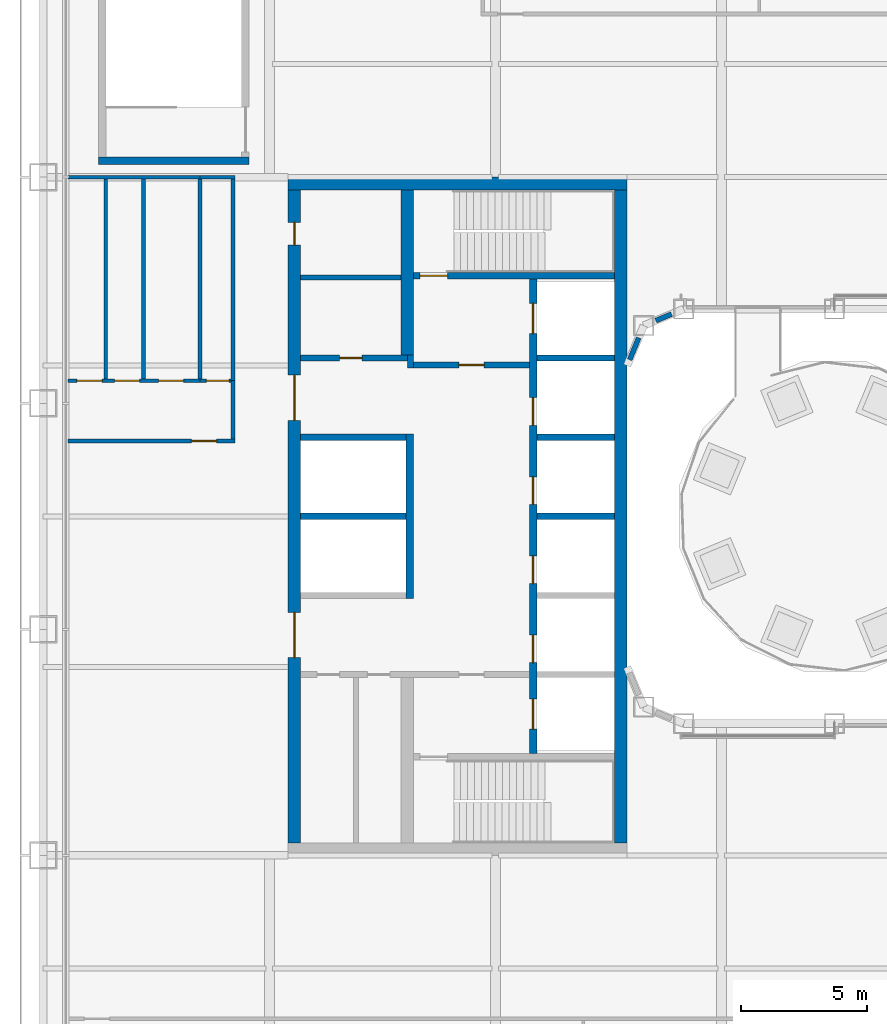
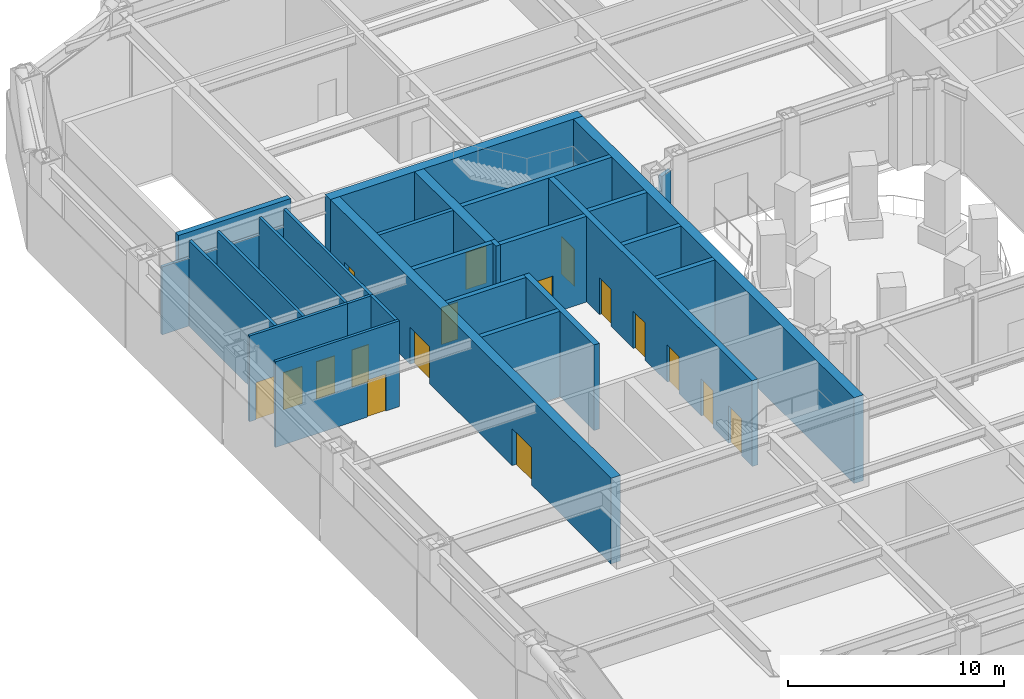
# One storey, part 13 of 25: 29 walls, 17 doors, 17 openings.
"""IFC4 building model written with IfcOpenShell, lengths in metres."""

from ifc_helpers import new_model, si_unit, direction, frame, frame_2d, origin, place, context, subcontext, project, spatial, rectangle, extrude, material, layer, layer_set, type_object, element, fill, save


model = new_model("IFC4")

# Units and contexts
model_context = context("Model", 3, precision=1e-05, world=origin(), true_north=direction((0.0, 1.0)))
body_context = subcontext(model_context, "Body", "Model", "MODEL_VIEW")
ifc_project = project(units=[si_unit("LENGTHUNIT", "METRE"), si_unit("AREAUNIT", "SQUARE_METRE"), si_unit("VOLUMEUNIT", "CUBIC_METRE"), si_unit("PLANEANGLEUNIT", "RADIAN"), si_unit("MASSUNIT", "GRAM", prefix="KILO")], contexts=[model_context])

# Site, building, storey
site_placement = place(None, origin())
site = spatial("IfcSite", under=ifc_project, at=site_placement, CompositionType="ELEMENT")
building_placement = place(site_placement, origin())
building = spatial("IfcBuilding", under=site, at=building_placement, Name="Siwar Civic Tower", CompositionType="ELEMENT")
storey_placement = place(building_placement, frame((0.0, 0.0, 17.199951171875)))
storey = spatial("IfcBuildingStorey", under=building, at=storey_placement, Name="L03", CompositionType="ELEMENT", Elevation=17.199951171875)

# Wall, opening, door
ifc_material_1 = material(Name="Gypsum board on steel studs", Category="steel")
ifc_layer_1 = layer(ifc_material_1, 0.14990234375)
ifc_layer_set_1 = layer_set([ifc_layer_1], Name="Gypsum board on steel studs")
wall_type_1 = type_object("IfcWallType", Name="COMPARTMENT PARTITION 150 EI 60", PredefinedType="PARTITIONING", material=ifc_layer_set_1)
wall_1_placement = place(storey_placement, frame((-25.260009765625, 5.39990234375, 0.0), z_axis=(0.0, 0.0, 1.0), x_axis=(1.0, 0.0, 0.0)))
wall_1 = element("IfcWall", 1, at=wall_1_placement, inside=storey, type_object=wall_type_1, Name="L03/wall/P07", PredefinedType="PARTITIONING", context=body_context, shape_type="SweptSolid", body=[
    extrude(rectangle(XDim=1.235107421875, YDim=0.14990234375, at=frame_2d((0.61767578125, 0.0))), origin(), (0.0, 0.0, 1.0), 4.85009765625),
])
opening_1_placement = place(wall_1_placement, frame((0.260009765625, 0.0, 0.0)))
opening_1 = element("IfcOpeningElement", 2, at=opening_1_placement, cuts=wall_1, Name="Opening D4", PredefinedType="OPENING", context=body_context, shape_type="SweptSolid", body=[
    extrude(rectangle(XDim=0.89990234375, YDim=2.10009765625, at=frame_2d((0.449951171875, 1.050048828125))), frame((0.0, 0.0849609375, 0.0), z_axis=(0.0, -1.0, 0.0), x_axis=(1.0, 0.0, 0.0)), (0.0, 0.0, 1.0), 0.169921875),
])
ifc_material_2 = material(Name="Timber, painted", Category="wood")
door_type_1 = type_object("IfcDoorType", Name="DOOR 900 X 2100 FD60", OperationType="SINGLE_SWING_LEFT", PredefinedType="DOOR", material=ifc_material_2)
door_1_placement = place(opening_1_placement, origin())
door_1 = element("IfcDoor", 3, at=door_1_placement, inside=storey, type_object=door_type_1, Name="L03-D13", OperationType="SINGLE_SWING_LEFT", OverallHeight=2.10009765625, OverallWidth=0.89990234375, PredefinedType="DOOR", context=body_context, shape_type="SweptSolid", body=[
    extrude(rectangle(XDim=0.89990234375, YDim=2.10009765625, at=frame_2d((0.449951171875, 1.050048828125))), frame((0.0, 0.02490234375, 0.0), z_axis=(0.0, -1.0, 0.0), x_axis=(1.0, 0.0, 0.0)), (0.0, 0.0, 1.0), 0.050048828125),
])
fill(opening_1, door_1)

# Walls
wall_2_placement = place(storey_placement, frame((-25.260009765625, 13.5, 0.0), z_axis=(0.0, 0.0, 1.0), x_axis=(1.0, 0.0, 0.0)))
element("IfcWall", 4, at=wall_2_placement, inside=storey, type_object=wall_type_1, Name="L03/wall/P09", PredefinedType="PARTITIONING", context=body_context, shape_type="SweptSolid", body=[
    extrude(rectangle(XDim=1.385009765625, YDim=0.14990234375, at=frame_2d((0.6923828125, 0.0))), origin(), (0.0, 0.0, 1.0), 3.85009765625),
])
wall_3_placement = place(storey_placement, frame((-25.260009765625, 5.47509765625, 0.0), z_axis=(0.0, 0.0, 1.0), x_axis=(0.0, 1.0, 0.0)))
element("IfcWall", 5, at=wall_3_placement, inside=storey, type_object=wall_type_1, Name="L03/wall/P14", PredefinedType="PARTITIONING", context=body_context, shape_type="SweptSolid", body=[
    extrude(rectangle(XDim=7.949951171875, YDim=0.14990234375, at=frame_2d((3.97509765625, 0.0))), origin(), (0.0, 0.0, 1.0), 4.85009765625),
])
wall_4_placement = place(storey_placement, frame((-23.949951171875, 5.39990234375, 0.0), z_axis=(0.0, 0.0, 1.0), x_axis=(0.0, 1.0, 0.0)))
element("IfcWall", 6, at=wall_4_placement, inside=storey, type_object=wall_type_1, Name="L03/wall/P16", PredefinedType="PARTITIONING", context=body_context, shape_type="SweptSolid", body=[
    extrude(rectangle(XDim=8.025146484375, YDim=0.14990234375, at=frame_2d((4.0126953125, 0.0))), origin(), (0.0, 0.0, 1.0), 4.85009765625),
])
ifc_material_3 = material(Name="Gypsum board on steel studs", Category="steel")
ifc_layer_2 = layer(ifc_material_3, 0.199951171875)
ifc_layer_set_2 = layer_set([ifc_layer_2], Name="Gypsum board on steel studs")
wall_type_2 = type_object("IfcWallType", Name="CORE-PARTITION-200", PredefinedType="PARTITIONING", material=ifc_layer_set_2)
wall_5_placement = place(storey_placement, frame((-17.25, 9.5, 0.0), z_axis=(0.0, 0.0, 1.0), x_axis=(-1.0, 0.0, 0.0)))
element("IfcWall", 7, at=wall_5_placement, inside=storey, type_object=wall_type_2, Name="Core partition W", PredefinedType="PARTITIONING", context=body_context, shape_type="SweptSolid", body=[
    extrude(rectangle(XDim=4.0, YDim=0.199951171875, at=frame_2d((2.0, 0.0))), origin(), (0.0, 0.0, 1.0), 4.85009765625),
])

# Wall, opening, door
ifc_material_4 = material(Name="Concrete C60/75", Category="concrete")
ifc_layer_3 = layer(ifc_material_4, 0.25)
ifc_layer_set_3 = layer_set([ifc_layer_3], Name="Concrete C60/75")
wall_type_3 = type_object("IfcWallType", Name="CORE-WALL-RC250", PredefinedType="SHEAR", material=ifc_layer_set_3)
wall_6_placement = place(storey_placement, frame((-12.14990234375, 6.02490234375, 0.0), z_axis=(0.0, 0.0, 1.0), x_axis=(-1.0, 0.0, 0.0)))
wall_6 = element("IfcWall", 8, at=wall_6_placement, inside=storey, type_object=wall_type_3, Name="Core wall W", PredefinedType="SHEAR", context=body_context, shape_type="SweptSolid", body=[
    extrude(rectangle(XDim=4.60009765625, YDim=0.25, at=frame_2d((2.300048828125, 0.0))), origin(), (0.0, 0.0, 1.0), 4.85009765625),
])
opening_2_placement = place(wall_6_placement, frame((1.800048828125, 0.0, 0.0)))
opening_2 = element("IfcOpeningElement", 9, at=opening_2_placement, cuts=wall_6, Name="Opening L03-CW01", PredefinedType="OPENING", context=body_context, shape_type="SweptSolid", body=[
    extrude(rectangle(XDim=1.0, YDim=2.10009765625, at=frame_2d((0.5, 1.050048828125))), frame((0.0, 0.135009765625, 0.0), z_axis=(0.0, -1.0, 0.0), x_axis=(1.0, 0.0, 0.0)), (0.0, 0.0, 1.0), 0.27001953125),
])
ifc_material_5 = material(Name="Steel door leaf", Category="steel")
door_type_2 = type_object("IfcDoorType", Name="CORE-DOOR-FD30S", OperationType="SINGLE_SWING_LEFT", PredefinedType="DOOR", material=ifc_material_5)
door_2_placement = place(opening_2_placement, origin())
door_2 = element("IfcDoor", 10, at=door_2_placement, inside=storey, type_object=door_type_2, Name="Firefighting lobby door L03-CW01", OperationType="SINGLE_SWING_LEFT", OverallHeight=2.10009765625, OverallWidth=1.0, PredefinedType="DOOR", context=body_context, shape_type="SweptSolid", body=[
    extrude(rectangle(XDim=1.0, YDim=2.10009765625, at=frame_2d((0.5, 1.050048828125))), frame((0.0, 0.02490234375, 0.0), z_axis=(0.0, -1.0, 0.0), x_axis=(1.0, 0.0, 0.0)), (0.0, 0.0, 1.0), 0.050048828125),
])
fill(opening_2, door_2)

# Wall
wall_7_placement = place(storey_placement, frame((-16.875, 5.89990234375, 0.0), z_axis=(0.0, 0.0, 1.0), x_axis=(0.0, 1.0, 0.0)))
element("IfcWall", 11, at=wall_7_placement, inside=storey, type_object=wall_type_3, Name="Core wall W", PredefinedType="SHEAR", context=body_context, shape_type="SweptSolid", body=[
    extrude(rectangle(XDim=0.525146484375, YDim=0.25, at=frame_2d((0.2626953125, 0.0))), origin(), (0.0, 0.0, 1.0), 4.85009765625),
])

# Wall, opening, door
wall_8_placement = place(storey_placement, frame((-17.0, 6.300048828125, 0.0), z_axis=(0.0, 0.0, 1.0), x_axis=(-1.0, 0.0, 0.0)))
wall_8 = element("IfcWall", 12, at=wall_8_placement, inside=storey, type_object=wall_type_3, Name="Core wall W", PredefinedType="SHEAR", context=body_context, shape_type="SweptSolid", body=[
    extrude(rectangle(XDim=4.25, YDim=0.25, at=frame_2d((2.125, 0.0))), origin(), (0.0, 0.0, 1.0), 4.85009765625),
])
opening_3_placement = place(wall_8_placement, frame((1.800048828125, 0.0, 0.0)))
opening_3 = element("IfcOpeningElement", 13, at=opening_3_placement, cuts=wall_8, Name="Opening L03-CW13", PredefinedType="OPENING", context=body_context, shape_type="SweptSolid", body=[
    extrude(rectangle(XDim=0.89990234375, YDim=2.10009765625, at=frame_2d((0.449951171875, 1.050048828125))), frame((0.0, 0.135009765625, 0.0), z_axis=(0.0, -1.0, 0.0), x_axis=(1.0, 0.0, 0.0)), (0.0, 0.0, 1.0), 0.27001953125),
])
ifc_material_6 = material(Name="Steel door leaf", Category="steel")
door_type_3 = type_object("IfcDoorType", Name="CORE-DOOR-ROOM", OperationType="SINGLE_SWING_LEFT", PredefinedType="DOOR", material=ifc_material_6)
door_3_placement = place(opening_3_placement, origin())
door_3 = element("IfcDoor", 14, at=door_3_placement, inside=storey, type_object=door_type_3, Name="Core room door L03-CW13", OperationType="SINGLE_SWING_LEFT", OverallHeight=2.10009765625, OverallWidth=0.89990234375, PredefinedType="DOOR", context=body_context, shape_type="SweptSolid", body=[
    extrude(rectangle(XDim=0.89990234375, YDim=2.10009765625, at=frame_2d((0.449951171875, 1.050048828125))), frame((0.0, 0.02490234375, 0.0), z_axis=(0.0, -1.0, 0.0), x_axis=(1.0, 0.0, 0.0)), (0.0, 0.0, 1.0), 0.050048828125),
])
fill(opening_3, door_3)

# Walls
for number, where, z_axis, x_axis, name in (
    (15, (-17.050048828125, 0.0, 0.0), (0.0, 0.0, 1.0), (-1.0, 0.0, 0.0), "Core wall W"),
    (16, (-17.050048828125, 3.14990234375, 0.0), (0.0, 0.0, 1.0), (-1.0, 0.0, 0.0), "Core wall W"),
):
    element("IfcWall", number, at=place(storey_placement, frame(where, z_axis=z_axis, x_axis=x_axis)), inside=storey, type_object=wall_type_3, Name=name, PredefinedType="SHEAR", context=body_context, shape_type="SweptSolid", body=[
        extrude(rectangle(XDim=4.199951171875, YDim=0.25, at=frame_2d((2.10009765625, 0.0))), origin(), (0.0, 0.0, 1.0), 4.85009765625),
    ])
for number, where, z_axis, x_axis, name in (
    (17, (-8.75, 0.0, 0.0), (0.0, 0.0, 1.0), (-1.0, 0.0, 0.0), "Core wall W"),
    (18, (-8.75, 3.14990234375, 0.0), (0.0, 0.0, 1.0), (-1.0, 0.0, 0.0), "Core wall W"),
    (19, (-8.75, 6.300048828125, 0.0), (0.0, 0.0, 1.0), (-1.0, 0.0, 0.0), "Core wall W"),
):
    element("IfcWall", number, at=place(storey_placement, frame(where, z_axis=z_axis, x_axis=x_axis)), inside=storey, type_object=wall_type_3, Name=name, PredefinedType="SHEAR", context=body_context, shape_type="SweptSolid", body=[
        extrude(rectangle(XDim=3.10009765625, YDim=0.25, at=frame_2d((1.550048828125, 0.0))), origin(), (0.0, 0.0, 1.0), 4.85009765625),
    ])

# Wall, opening, door
wall_9_placement = place(storey_placement, frame((-8.75, 9.574951171875, 0.0), z_axis=(0.0, 0.0, 1.0), x_axis=(-1.0, 0.0, 0.0)))
wall_9 = element("IfcWall", 20, at=wall_9_placement, inside=storey, type_object=wall_type_3, Name="Core wall W", PredefinedType="SHEAR", context=body_context, shape_type="SweptSolid", body=[
    extrude(rectangle(XDim=8.0, YDim=0.25, at=frame_2d((4.0, 0.0))), origin(), (0.0, 0.0, 1.0), 4.85009765625),
])
opening_4_placement = place(wall_9_placement, frame((6.64990234375, 0.0, 0.0)))
opening_4 = element("IfcOpeningElement", 21, at=opening_4_placement, cuts=wall_9, Name="Opening L03-CW03", PredefinedType="OPENING", context=body_context, shape_type="SweptSolid", body=[
    extrude(rectangle(XDim=1.10009765625, YDim=2.10009765625, at=frame_2d((0.550048828125, 1.050048828125))), frame((0.0, 0.135009765625, 0.0), z_axis=(0.0, -1.0, 0.0), x_axis=(1.0, 0.0, 0.0)), (0.0, 0.0, 1.0), 0.27001953125),
])
ifc_material_7 = material(Name="Steel door leaf", Category="steel")
door_type_4 = type_object("IfcDoorType", Name="CORE-DOOR-FD60S", OperationType="SINGLE_SWING_LEFT", PredefinedType="DOOR", material=ifc_material_7)
door_4_placement = place(opening_4_placement, origin())
door_4 = element("IfcDoor", 22, at=door_4_placement, inside=storey, type_object=door_type_4, Name="Stair door L03-CW03", OperationType="SINGLE_SWING_RIGHT", OverallHeight=2.10009765625, OverallWidth=1.10009765625, PredefinedType="DOOR", context=body_context, shape_type="SweptSolid", body=[
    extrude(rectangle(XDim=1.10009765625, YDim=2.10009765625, at=frame_2d((0.550048828125, 1.050048828125))), frame((0.0, 0.02490234375, 0.0), z_axis=(0.0, -1.0, 0.0), x_axis=(1.0, 0.0, 0.0)), (0.0, 0.0, 1.0), 0.050048828125),
])
fill(opening_4, door_4)

# Wall, openings, doors
ifc_material_8 = material(Name="Concrete C60/75", Category="concrete")
ifc_layer_4 = layer(ifc_material_8, 0.300048828125)
ifc_layer_set_4 = layer_set([ifc_layer_4], Name="Concrete C60/75")
wall_type_4 = type_object("IfcWallType", Name="CORE-WALL-RC300", PredefinedType="SHEAR", material=ifc_layer_set_4)
wall_10_placement = place(storey_placement, frame((-12.0, -9.449951171875, 0.0), z_axis=(0.0, 0.0, 1.0), x_axis=(0.0, 1.0, 0.0)))
wall_10 = element("IfcWall", 23, at=wall_10_placement, inside=storey, type_object=wall_type_4, Name="Core wall W", PredefinedType="SHEAR", context=body_context, shape_type="SweptSolid", body=[
    extrude(rectangle(XDim=18.89990234375, YDim=0.300048828125, at=frame_2d((9.449951171875, 0.0))), origin(), (0.0, 0.0, 1.0), 4.85009765625),
])
opening_5_placement = place(wall_10_placement, frame((3.625, 0.0, 0.0)))
opening_5 = element("IfcOpeningElement", 24, at=opening_5_placement, cuts=wall_10, Name="Opening L03-CW07", PredefinedType="OPENING", context=body_context, shape_type="SweptSolid", body=[
    extrude(rectangle(XDim=1.10009765625, YDim=2.10009765625, at=frame_2d((0.550048828125, 1.050048828125))), frame((0.0, 0.16015625, 0.0), z_axis=(0.0, -1.0, 0.0), x_axis=(1.0, 0.0, 0.0)), (0.0, 0.0, 1.0), 0.320068359375),
])
opening_6_placement = place(wall_10_placement, frame((6.77490234375, 0.0, 0.0)))
opening_6 = element("IfcOpeningElement", 25, at=opening_6_placement, cuts=wall_10, Name="Opening L03-CW08", PredefinedType="OPENING", context=body_context, shape_type="SweptSolid", body=[
    extrude(rectangle(XDim=1.10009765625, YDim=2.10009765625, at=frame_2d((0.550048828125, 1.050048828125))), frame((0.0, 0.16015625, 0.0), z_axis=(0.0, -1.0, 0.0), x_axis=(1.0, 0.0, 0.0)), (0.0, 0.0, 1.0), 0.320068359375),
])
opening_7_placement = place(wall_10_placement, frame((9.925048828125, 0.0, 0.0)))
opening_7 = element("IfcOpeningElement", 26, at=opening_7_placement, cuts=wall_10, Name="Opening L03-CW09", PredefinedType="OPENING", context=body_context, shape_type="SweptSolid", body=[
    extrude(rectangle(XDim=1.10009765625, YDim=2.10009765625, at=frame_2d((0.550048828125, 1.050048828125))), frame((0.0, 0.16015625, 0.0), z_axis=(0.0, -1.0, 0.0), x_axis=(1.0, 0.0, 0.0)), (0.0, 0.0, 1.0), 0.320068359375),
])
opening_8_placement = place(wall_10_placement, frame((13.074951171875, 0.0, 0.0)))
opening_8 = element("IfcOpeningElement", 27, at=opening_8_placement, cuts=wall_10, Name="Opening L03-CW10", PredefinedType="OPENING", context=body_context, shape_type="SweptSolid", body=[
    extrude(rectangle(XDim=1.10009765625, YDim=2.10009765625, at=frame_2d((0.550048828125, 1.050048828125))), frame((0.0, 0.16015625, 0.0), z_axis=(0.0, -1.0, 0.0), x_axis=(1.0, 0.0, 0.0)), (0.0, 0.0, 1.0), 0.320068359375),
])
opening_9_placement = place(wall_10_placement, frame((16.72509765625, 0.0, 0.0)))
opening_9 = element("IfcOpeningElement", 28, at=opening_9_placement, cuts=wall_10, Name="Opening L03-CW11", PredefinedType="OPENING", context=body_context, shape_type="SweptSolid", body=[
    extrude(rectangle(XDim=1.199951171875, YDim=2.10009765625, at=frame_2d((0.60009765625, 1.050048828125))), frame((0.0, 0.16015625, 0.0), z_axis=(0.0, -1.0, 0.0), x_axis=(1.0, 0.0, 0.0)), (0.0, 0.0, 1.0), 0.320068359375),
])
opening_10_placement = place(wall_10_placement, frame((0.97509765625, 0.0, 0.0)))
opening_10 = element("IfcOpeningElement", 29, at=opening_10_placement, cuts=wall_10, Name="Opening L03-CW12", PredefinedType="OPENING", context=body_context, shape_type="SweptSolid", body=[
    extrude(rectangle(XDim=1.199951171875, YDim=2.10009765625, at=frame_2d((0.60009765625, 1.050048828125))), frame((0.0, 0.16015625, 0.0), z_axis=(0.0, -1.0, 0.0), x_axis=(1.0, 0.0, 0.0)), (0.0, 0.0, 1.0), 0.320068359375),
])
ifc_material_9 = material(Name="Steel door leaf", Category="steel")
door_type_5 = type_object("IfcDoorType", Name="CORE-DOOR-LD", OperationType="DOUBLE_DOOR_SLIDING", PredefinedType="DOOR", material=ifc_material_9)
door_5_placement = place(opening_5_placement, origin())
door_5 = element("IfcDoor", 30, at=door_5_placement, inside=storey, type_object=door_type_5, Name="Landing door LR1 L03-CW07", OperationType="DOUBLE_DOOR_SLIDING", OverallHeight=2.10009765625, OverallWidth=1.10009765625, PredefinedType="DOOR", context=body_context, shape_type="SweptSolid", body=[
    extrude(rectangle(XDim=1.10009765625, YDim=2.10009765625, at=frame_2d((0.550048828125, 1.050048828125))), frame((0.0, 0.02490234375, 0.0), z_axis=(0.0, -1.0, 0.0), x_axis=(1.0, 0.0, 0.0)), (0.0, 0.0, 1.0), 0.050048828125),
])
fill(opening_5, door_5)
door_6_placement = place(opening_6_placement, origin())
door_6 = element("IfcDoor", 31, at=door_6_placement, inside=storey, type_object=door_type_5, Name="Landing door LR2 L03-CW08", OperationType="DOUBLE_DOOR_SLIDING", OverallHeight=2.10009765625, OverallWidth=1.10009765625, PredefinedType="DOOR", context=body_context, shape_type="SweptSolid", body=[
    extrude(rectangle(XDim=1.10009765625, YDim=2.10009765625, at=frame_2d((0.550048828125, 1.050048828125))), frame((0.0, 0.02490234375, 0.0), z_axis=(0.0, -1.0, 0.0), x_axis=(1.0, 0.0, 0.0)), (0.0, 0.0, 1.0), 0.050048828125),
])
fill(opening_6, door_6)
door_7_placement = place(opening_7_placement, origin())
door_7 = element("IfcDoor", 32, at=door_7_placement, inside=storey, type_object=door_type_5, Name="Landing door LR3 L03-CW09", OperationType="DOUBLE_DOOR_SLIDING", OverallHeight=2.10009765625, OverallWidth=1.10009765625, PredefinedType="DOOR", context=body_context, shape_type="SweptSolid", body=[
    extrude(rectangle(XDim=1.10009765625, YDim=2.10009765625, at=frame_2d((0.550048828125, 1.050048828125))), frame((0.0, 0.02490234375, 0.0), z_axis=(0.0, -1.0, 0.0), x_axis=(1.0, 0.0, 0.0)), (0.0, 0.0, 1.0), 0.050048828125),
])
fill(opening_7, door_7)
door_8_placement = place(opening_8_placement, origin())
door_8 = element("IfcDoor", 33, at=door_8_placement, inside=storey, type_object=door_type_5, Name="Landing door LR4 L03-CW10", OperationType="DOUBLE_DOOR_SLIDING", OverallHeight=2.10009765625, OverallWidth=1.10009765625, PredefinedType="DOOR", context=body_context, shape_type="SweptSolid", body=[
    extrude(rectangle(XDim=1.10009765625, YDim=2.10009765625, at=frame_2d((0.550048828125, 1.050048828125))), frame((0.0, 0.02490234375, 0.0), z_axis=(0.0, -1.0, 0.0), x_axis=(1.0, 0.0, 0.0)), (0.0, 0.0, 1.0), 0.050048828125),
])
fill(opening_8, door_8)
ifc_material_10 = material(Name="Steel door leaf", Category="steel")
door_type_6 = type_object("IfcDoorType", Name="CORE-DOOR-LDW", OperationType="DOUBLE_DOOR_SLIDING", PredefinedType="DOOR", material=ifc_material_10)
door_9_placement = place(opening_9_placement, origin())
door_9 = element("IfcDoor", 34, at=door_9_placement, inside=storey, type_object=door_type_6, Name="Landing door FF1 L03-CW11", OperationType="DOUBLE_DOOR_SLIDING", OverallHeight=2.10009765625, OverallWidth=1.199951171875, PredefinedType="DOOR", context=body_context, shape_type="SweptSolid", body=[
    extrude(rectangle(XDim=1.199951171875, YDim=2.10009765625, at=frame_2d((0.60009765625, 1.050048828125))), frame((0.0, 0.02490234375, 0.0), z_axis=(0.0, -1.0, 0.0), x_axis=(1.0, 0.0, 0.0)), (0.0, 0.0, 1.0), 0.050048828125),
])
fill(opening_9, door_9)
door_10_placement = place(opening_10_placement, origin())
door_10 = element("IfcDoor", 35, at=door_10_placement, inside=storey, type_object=door_type_6, Name="Landing door SV1 L03-CW12", OperationType="DOUBLE_DOOR_SLIDING", OverallHeight=2.10009765625, OverallWidth=1.199951171875, PredefinedType="DOOR", context=body_context, shape_type="SweptSolid", body=[
    extrude(rectangle(XDim=1.199951171875, YDim=2.10009765625, at=frame_2d((0.60009765625, 1.050048828125))), frame((0.0, 0.02490234375, 0.0), z_axis=(0.0, -1.0, 0.0), x_axis=(1.0, 0.0, 0.0)), (0.0, 0.0, 1.0), 0.050048828125),
])
fill(opening_10, door_10)

# Wall
wall_11_placement = place(storey_placement, frame((-16.89990234375, -3.27490234375, 0.0), z_axis=(0.0, 0.0, 1.0), x_axis=(0.0, 1.0, 0.0)))
element("IfcWall", 36, at=wall_11_placement, inside=storey, type_object=wall_type_4, Name="Core wall W", PredefinedType="SHEAR", context=body_context, shape_type="SweptSolid", body=[
    extrude(rectangle(XDim=6.5498046875, YDim=0.300048828125, at=frame_2d((3.27490234375, 0.0))), origin(), (0.0, 0.0, 1.0), 4.85009765625),
])

# Wall, openings, doors
ifc_material_11 = material(Name="Concrete C60/75", Category="concrete")
ifc_layer_5 = layer(ifc_material_11, 0.5)
ifc_layer_set_5 = layer_set([ifc_layer_5], Name="Concrete C60/75")
wall_type_5 = type_object("IfcWallType", Name="CORE-WALL-RC500", PredefinedType="SHEAR", material=ifc_layer_set_5)
wall_12_placement = place(storey_placement, frame((-21.5, -13.0, 0.0), z_axis=(0.0, 0.0, 1.0), x_axis=(0.0, 1.0, 0.0)))
wall_12 = element("IfcWall", 37, at=wall_12_placement, inside=storey, type_object=wall_type_5, Name="Core wall W", PredefinedType="SHEAR", context=body_context, shape_type="SweptSolid", body=[
    extrude(rectangle(XDim=26.0, YDim=0.5, at=frame_2d((13.0, 0.0))), origin(), (0.0, 0.0, 1.0), 4.85009765625),
])
opening_11_placement = place(wall_12_placement, frame((16.824951171875, 0.0, 0.0)))
opening_11 = element("IfcOpeningElement", 38, at=opening_11_placement, cuts=wall_12, Name="Opening L03-CW05", PredefinedType="OPENING", context=body_context, shape_type="SweptSolid", body=[
    extrude(rectangle(XDim=1.800048828125, YDim=2.10009765625, at=frame_2d((0.89990234375, 1.050048828125))), frame((0.0, 0.260009765625, 0.0), z_axis=(0.0, -1.0, 0.0), x_axis=(1.0, 0.0, 0.0)), (0.0, 0.0, 1.0), 0.52001953125),
])
opening_12_placement = place(wall_12_placement, frame((7.375, 0.0, 0.0)))
opening_12 = element("IfcOpeningElement", 39, at=opening_12_placement, cuts=wall_12, Name="Opening L03-CW06", PredefinedType="OPENING", context=body_context, shape_type="SweptSolid", body=[
    extrude(rectangle(XDim=1.800048828125, YDim=2.10009765625, at=frame_2d((0.89990234375, 1.050048828125))), frame((0.0, 0.260009765625, 0.0), z_axis=(0.0, -1.0, 0.0), x_axis=(1.0, 0.0, 0.0)), (0.0, 0.0, 1.0), 0.52001953125),
])
opening_13_placement = place(wall_12_placement, frame((23.800048828125, 0.0, 0.0)))
opening_13 = element("IfcOpeningElement", 40, at=opening_13_placement, cuts=wall_12, Name="Opening L03-CW14", PredefinedType="OPENING", context=body_context, shape_type="SweptSolid", body=[
    extrude(rectangle(XDim=0.89990234375, YDim=2.10009765625, at=frame_2d((0.449951171875, 1.050048828125))), frame((0.0, 0.260009765625, 0.0), z_axis=(0.0, -1.0, 0.0), x_axis=(1.0, 0.0, 0.0)), (0.0, 0.0, 1.0), 0.52001953125),
])
ifc_material_12 = material(Name="Steel door leaf", Category="steel")
door_type_7 = type_object("IfcDoorType", Name="CORE-DOOR-PORT", OperationType="DOUBLE_DOOR_DOUBLE_SWING", PredefinedType="DOOR", material=ifc_material_12)
door_11_placement = place(opening_11_placement, origin())
door_11 = element("IfcDoor", 41, at=door_11_placement, inside=storey, type_object=door_type_7, Name="Core entrance door L03-CW05", OperationType="DOUBLE_DOOR_DOUBLE_SWING", OverallHeight=2.10009765625, OverallWidth=1.800048828125, PredefinedType="DOOR", context=body_context, shape_type="SweptSolid", body=[
    extrude(rectangle(XDim=1.800048828125, YDim=2.10009765625, at=frame_2d((0.89990234375, 1.050048828125))), frame((0.0, 0.02490234375, 0.0), z_axis=(0.0, -1.0, 0.0), x_axis=(1.0, 0.0, 0.0)), (0.0, 0.0, 1.0), 0.050048828125),
])
fill(opening_11, door_11)
door_12_placement = place(opening_12_placement, origin())
door_12 = element("IfcDoor", 42, at=door_12_placement, inside=storey, type_object=door_type_7, Name="Core entrance door L03-CW06", OperationType="DOUBLE_DOOR_DOUBLE_SWING", OverallHeight=2.10009765625, OverallWidth=1.800048828125, PredefinedType="DOOR", context=body_context, shape_type="SweptSolid", body=[
    extrude(rectangle(XDim=1.800048828125, YDim=2.10009765625, at=frame_2d((0.89990234375, 1.050048828125))), frame((0.0, 0.02490234375, 0.0), z_axis=(0.0, -1.0, 0.0), x_axis=(1.0, 0.0, 0.0)), (0.0, 0.0, 1.0), 0.050048828125),
])
fill(opening_12, door_12)
door_13_placement = place(opening_13_placement, origin())
door_13 = element("IfcDoor", 43, at=door_13_placement, inside=storey, type_object=door_type_3, Name="Core room door L03-CW14", OperationType="SINGLE_SWING_LEFT", OverallHeight=2.10009765625, OverallWidth=0.89990234375, PredefinedType="DOOR", context=body_context, shape_type="SweptSolid", body=[
    extrude(rectangle(XDim=0.89990234375, YDim=2.10009765625, at=frame_2d((0.449951171875, 1.050048828125))), frame((0.0, 0.02490234375, 0.0), z_axis=(0.0, -1.0, 0.0), x_axis=(1.0, 0.0, 0.0)), (0.0, 0.0, 1.0), 0.050048828125),
])
fill(opening_13, door_13)

# Walls
wall_13_placement = place(storey_placement, frame((-17.0, 6.425048828125, 0.0), z_axis=(0.0, 0.0, 1.0), x_axis=(0.0, 1.0, 0.0)))
element("IfcWall", 44, at=wall_13_placement, inside=storey, type_object=wall_type_5, Name="Core wall W", PredefinedType="SHEAR", context=body_context, shape_type="SweptSolid", body=[
    extrude(rectangle(XDim=6.574951171875, YDim=0.5, at=frame_2d((3.28759765625, 0.0))), origin(), (0.0, 0.0, 1.0), 4.85009765625),
])
wall_14_placement = place(storey_placement, frame((-8.25, 13.25, 0.0), z_axis=(0.0, 0.0, 1.0), x_axis=(-1.0, 0.0, 0.0)))
element("IfcWall", 45, at=wall_14_placement, inside=storey, type_object=wall_type_5, Name="Core wall W", PredefinedType="SHEAR", context=body_context, shape_type="SweptSolid", body=[
    extrude(rectangle(XDim=13.5, YDim=0.5, at=frame_2d((6.75, 0.0))), origin(), (0.0, 0.0, 1.0), 4.85009765625),
])
ifc_material_13 = material(Name="Concrete C60/75", Category="concrete")
ifc_layer_6 = layer(ifc_material_13, 0.5)
ifc_layer_set_6 = layer_set([ifc_layer_6], Name="Concrete C60/75")
wall_type_6 = type_object("IfcWallType", Name="CORE-WALL-RC500-EXT", PredefinedType="SHEAR", material=ifc_layer_set_6)
wall_15_placement = place(storey_placement, frame((-8.5, -13.0, 0.0), z_axis=(0.0, 0.0, 1.0), x_axis=(0.0, 1.0, 0.0)))
element("IfcWall", 46, at=wall_15_placement, inside=storey, type_object=wall_type_6, Name="Core wall W", PredefinedType="SHEAR", context=body_context, shape_type="SweptSolid", body=[
    extrude(rectangle(XDim=26.0, YDim=0.5, at=frame_2d((13.0, 0.0))), origin(), (0.0, 0.0, 1.0), 4.85009765625),
])

# Wall, opening, door
ifc_material_14 = material(Name="Gypsum board on steel studs", Category="steel")
ifc_layer_7 = layer(ifc_material_14, 0.14990234375)
ifc_layer_set_7 = layer_set([ifc_layer_7], Name="Gypsum board on steel studs")
wall_type_7 = type_object("IfcWallType", Name="CORRIDOR PARTITION 150 EI 30", PredefinedType="PARTITIONING", material=ifc_layer_set_7)
wall_16_placement = place(storey_placement, frame((-30.510009765625, 3.0, 0.0), z_axis=(0.0, 0.0, 1.0), x_axis=(1.0, 0.0, 0.0)))
wall_16 = element("IfcWall", 47, at=wall_16_placement, inside=storey, type_object=wall_type_7, Name="L03/wall/P05", PredefinedType="PARTITIONING", context=body_context, shape_type="SweptSolid", body=[
    extrude(rectangle(XDim=6.635009765625, YDim=0.14990234375, at=frame_2d((3.3173828125, 0.0))), origin(), (0.0, 0.0, 1.0), 4.85009765625),
])
opening_14_placement = place(wall_16_placement, frame((4.909912109375, 0.0, 0.0)))
opening_14 = element("IfcOpeningElement", 48, at=opening_14_placement, cuts=wall_16, Name="Opening D1", PredefinedType="OPENING", context=body_context, shape_type="SweptSolid", body=[
    extrude(rectangle(XDim=1.0, YDim=2.10009765625, at=frame_2d((0.5, 1.050048828125))), frame((0.0, 0.0849609375, 0.0), z_axis=(0.0, -1.0, 0.0), x_axis=(1.0, 0.0, 0.0)), (0.0, 0.0, 1.0), 0.169921875),
])
ifc_material_15 = material(Name="Timber, painted", Category="wood")
door_type_8 = type_object("IfcDoorType", Name="DOOR 1000 X 2100 FD30", OperationType="SINGLE_SWING_LEFT", PredefinedType="DOOR", material=ifc_material_15)
door_14_placement = place(opening_14_placement, origin())
door_14 = element("IfcDoor", 49, at=door_14_placement, inside=storey, type_object=door_type_8, Name="L03-D09", OperationType="SINGLE_SWING_LEFT", OverallHeight=2.10009765625, OverallWidth=1.0, PredefinedType="DOOR", context=body_context, shape_type="SweptSolid", body=[
    extrude(rectangle(XDim=1.0, YDim=2.10009765625, at=frame_2d((0.5, 1.050048828125))), frame((0.0, 0.02490234375, 0.0), z_axis=(0.0, -1.0, 0.0), x_axis=(1.0, 0.0, 0.0)), (0.0, 0.0, 1.0), 0.050048828125),
])
fill(opening_14, door_14)

# Wall, openings, doors
wall_17_placement = place(storey_placement, frame((-30.510009765625, 5.39990234375, 0.0), z_axis=(0.0, 0.0, 1.0), x_axis=(1.0, 0.0, 0.0)))
wall_17 = element("IfcWall", 50, at=wall_17_placement, inside=storey, type_object=wall_type_7, Name="L03/wall/P06", PredefinedType="PARTITIONING", context=body_context, shape_type="SweptSolid", body=[
    extrude(rectangle(XDim=5.25, YDim=0.14990234375, at=frame_2d((2.625, 0.0))), origin(), (0.0, 0.0, 1.0), 4.85009765625),
])
opening_15_placement = place(wall_17_placement, frame((0.35009765625, 0.0, 0.0)))
opening_15 = element("IfcOpeningElement", 51, at=opening_15_placement, cuts=wall_17, Name="Opening D3", PredefinedType="OPENING", context=body_context, shape_type="SweptSolid", body=[
    extrude(rectangle(XDim=1.0, YDim=2.10009765625, at=frame_2d((0.5, 1.050048828125))), frame((0.0, 0.0849609375, 0.0), z_axis=(0.0, -1.0, 0.0), x_axis=(1.0, 0.0, 0.0)), (0.0, 0.0, 1.0), 0.169921875),
])
opening_16_placement = place(wall_17_placement, frame((1.85009765625, 0.0, 0.0)))
opening_16 = element("IfcOpeningElement", 52, at=opening_16_placement, cuts=wall_17, Name="Opening D3", PredefinedType="OPENING", context=body_context, shape_type="SweptSolid", body=[
    extrude(rectangle(XDim=1.0, YDim=2.10009765625, at=frame_2d((0.5, 1.050048828125))), frame((0.0, 0.0849609375, 0.0), z_axis=(0.0, -1.0, 0.0), x_axis=(1.0, 0.0, 0.0)), (0.0, 0.0, 1.0), 0.169921875),
])
opening_17_placement = place(wall_17_placement, frame((3.60009765625, 0.0, 0.0)))
opening_17 = element("IfcOpeningElement", 53, at=opening_17_placement, cuts=wall_17, Name="Opening D3", PredefinedType="OPENING", context=body_context, shape_type="SweptSolid", body=[
    extrude(rectangle(XDim=1.0, YDim=2.10009765625, at=frame_2d((0.5, 1.050048828125))), frame((0.0, 0.0849609375, 0.0), z_axis=(0.0, -1.0, 0.0), x_axis=(1.0, 0.0, 0.0)), (0.0, 0.0, 1.0), 0.169921875),
])
ifc_material_16 = material(Name="Timber, painted", Category="wood")
door_type_9 = type_object("IfcDoorType", Name="DOOR 1000 X 2100 WC", OperationType="SINGLE_SWING_LEFT", PredefinedType="DOOR", material=ifc_material_16)
door_15_placement = place(opening_15_placement, origin())
door_15 = element("IfcDoor", 54, at=door_15_placement, inside=storey, type_object=door_type_9, Name="L03-D10", OperationType="SINGLE_SWING_RIGHT", OverallHeight=2.10009765625, OverallWidth=1.0, PredefinedType="DOOR", context=body_context, shape_type="SweptSolid", body=[
    extrude(rectangle(XDim=1.0, YDim=2.10009765625, at=frame_2d((0.5, 1.050048828125))), frame((0.0, 0.02490234375, 0.0), z_axis=(0.0, -1.0, 0.0), x_axis=(1.0, 0.0, 0.0)), (0.0, 0.0, 1.0), 0.050048828125),
])
fill(opening_15, door_15)
door_16_placement = place(opening_16_placement, origin())
door_16 = element("IfcDoor", 55, at=door_16_placement, inside=storey, type_object=door_type_9, Name="L03-D11", OperationType="SINGLE_SWING_LEFT", OverallHeight=2.10009765625, OverallWidth=1.0, PredefinedType="DOOR", context=body_context, shape_type="SweptSolid", body=[
    extrude(rectangle(XDim=1.0, YDim=2.10009765625, at=frame_2d((0.5, 1.050048828125))), frame((0.0, 0.02490234375, 0.0), z_axis=(0.0, -1.0, 0.0), x_axis=(1.0, 0.0, 0.0)), (0.0, 0.0, 1.0), 0.050048828125),
])
fill(opening_16, door_16)
door_17_placement = place(opening_17_placement, origin())
door_17 = element("IfcDoor", 56, at=door_17_placement, inside=storey, type_object=door_type_9, Name="L03-D12", OperationType="SINGLE_SWING_RIGHT", OverallHeight=2.10009765625, OverallWidth=1.0, PredefinedType="DOOR", context=body_context, shape_type="SweptSolid", body=[
    extrude(rectangle(XDim=1.0, YDim=2.10009765625, at=frame_2d((0.5, 1.050048828125))), frame((0.0, 0.02490234375, 0.0), z_axis=(0.0, -1.0, 0.0), x_axis=(1.0, 0.0, 0.0)), (0.0, 0.0, 1.0), 0.050048828125),
])
fill(opening_17, door_17)

# Walls
wall_18_placement = place(storey_placement, frame((-30.510009765625, 13.5, 0.0), z_axis=(0.0, 0.0, 1.0), x_axis=(1.0, 0.0, 0.0)))
element("IfcWall", 57, at=wall_18_placement, inside=storey, type_object=wall_type_7, Name="L03/wall/P08", PredefinedType="PARTITIONING", context=body_context, shape_type="SweptSolid", body=[
    extrude(rectangle(XDim=5.25, YDim=0.14990234375, at=frame_2d((2.625, 0.0))), origin(), (0.0, 0.0, 1.0), 3.85009765625),
])
for number, where, z_axis, x_axis, name in (
    (58, (-29.010009765625, 5.47509765625, 0.0), (0.0, 0.0, 1.0), (0.0, 1.0, 0.0), "L03/wall/P12"),
    (59, (-27.510009765625, 5.47509765625, 0.0), (0.0, 0.0, 1.0), (0.0, 1.0, 0.0), "L03/wall/P13"),
):
    element("IfcWall", number, at=place(storey_placement, frame(where, z_axis=z_axis, x_axis=x_axis)), inside=storey, type_object=wall_type_7, Name=name, PredefinedType="PARTITIONING", context=body_context, shape_type="SweptSolid", body=[
        extrude(rectangle(XDim=7.949951171875, YDim=0.14990234375, at=frame_2d((3.97509765625, 0.0))), origin(), (0.0, 0.0, 1.0), 4.85009765625),
    ])
wall_19_placement = place(storey_placement, frame((-23.949951171875, 3.074951171875, 0.0), z_axis=(0.0, 0.0, 1.0), x_axis=(0.0, 1.0, 0.0)))
element("IfcWall", 60, at=wall_19_placement, inside=storey, type_object=wall_type_7, Name="L03/wall/P15", PredefinedType="PARTITIONING", context=body_context, shape_type="SweptSolid", body=[
    extrude(rectangle(XDim=2.324951171875, YDim=0.14990234375, at=frame_2d((1.16259765625, 0.0))), origin(), (0.0, 0.0, 1.0), 4.85009765625),
])
ifc_material_17 = material(Name="Aluminium clad insulated panel", Category="aluminium")
ifc_layer_8 = layer(ifc_material_17, 0.199951171875)
ifc_layer_set_8 = layer_set([ifc_layer_8], Name="Aluminium clad insulated panel")
wall_type_8 = type_object("IfcWallType", Name="ENV-WALL-WELL", PredefinedType="STANDARD", material=ifc_layer_set_8)
wall_20_placement = place(storey_placement, frame((-6.48291015625, 8.050048828125, 0.0), z_axis=(0.0, 0.0, 1.0), x_axis=(-0.923854141361, -0.382744726273, 0.0)))
element("IfcWall", 61, at=wall_20_placement, inside=storey, type_object=wall_type_8, Name="Light well corner wall NW1", PredefinedType="STANDARD", context=body_context, shape_type="SweptSolid", body=[
    extrude(rectangle(XDim=0.6767578125, YDim=0.199951171875, at=frame_2d((0.33837890625, 0.0))), origin(), (0.0, 0.0, 1.0), 4.22998046875),
])
wall_21_placement = place(storey_placement, frame((-7.791015625, 7.108154296875, 0.0), z_axis=(0.0, 0.0, 1.0), x_axis=(-0.382624318388, -0.923904016107, 0.0)))
element("IfcWall", 62, at=wall_21_placement, inside=storey, type_object=wall_type_8, Name="Light well corner wall NW2", PredefinedType="STANDARD", context=body_context, shape_type="SweptSolid", body=[
    extrude(rectangle(XDim=0.949462890625, YDim=0.199951171875, at=frame_2d((0.474609375, 0.0))), origin(), (0.0, 0.0, 1.0), 4.22998046875),
])
ifc_material_18 = material(Name="Concrete C60/75", Category="concrete")
ifc_layer_9 = layer(ifc_material_18, 0.300048828125)
ifc_layer_set_9 = layer_set([ifc_layer_9], Name="Concrete C60/75")
wall_type_9 = type_object("IfcWallType", Name="GND-ES-WALL", PredefinedType="SHEAR", material=ifc_layer_set_9)
wall_22_placement = place(storey_placement, frame((-29.300048828125, 14.14990234375, 0.0), z_axis=(0.0, 0.0, 1.0), x_axis=(1.0, 0.0, 0.0)))
element("IfcWall", 63, at=wall_22_placement, inside=storey, type_object=wall_type_9, Name="Stair wall ST5", PredefinedType="SHEAR", context=body_context, shape_type="SweptSolid", body=[
    extrude(rectangle(XDim=6.0, YDim=0.300048828125, at=frame_2d((3.0, 0.0))), origin(), (0.0, 0.0, 1.0), 4.85009765625),
])

save(model, "model.ifc")
